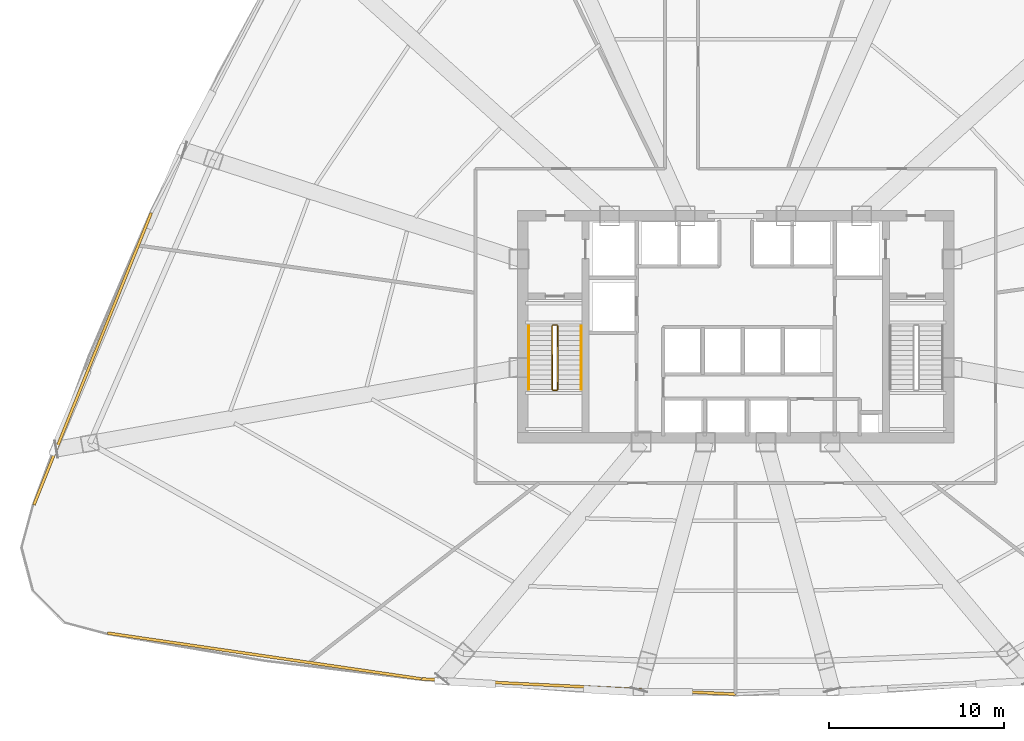
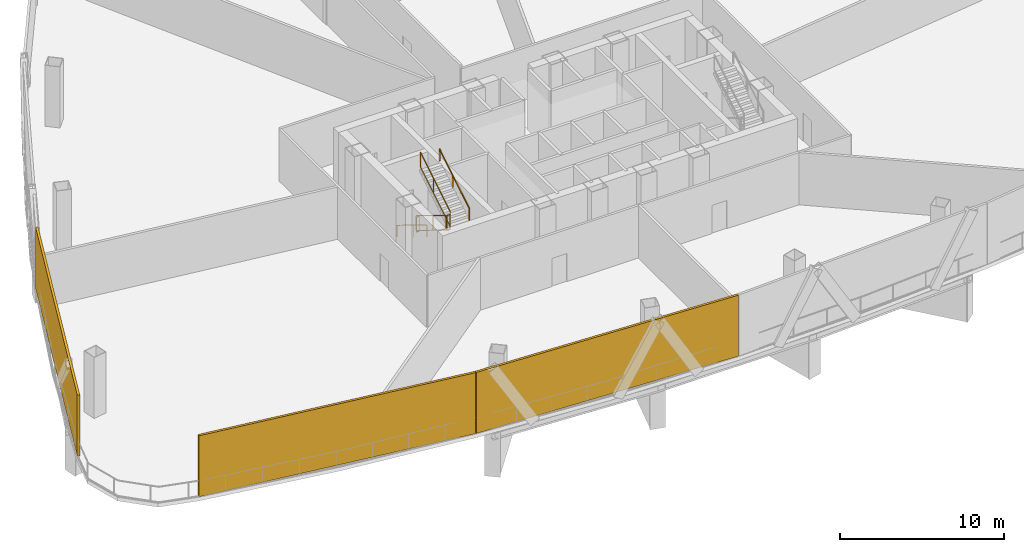
# One storey, part 10 of 15: 6 railings, 3 shading devices.
"""IFC4 building model written with IfcOpenShell, lengths in metres."""

from ifc_helpers import new_model, si_unit, direction, frame, origin, origin_2d, place, context, subcontext, project, spatial, rectangle, extrude, source, transform, mapped, material, layer, layer_set, type_object, element, save


model = new_model("IFC4")

# Units and contexts
model_context = context("Model", 3, precision=1e-05, world=origin(), true_north=direction((0.0, 1.0)))
body_context = subcontext(model_context, "Body", "Model", "MODEL_VIEW")
ifc_project = project(units=[si_unit("LENGTHUNIT", "METRE"), si_unit("AREAUNIT", "SQUARE_METRE"), si_unit("VOLUMEUNIT", "CUBIC_METRE"), si_unit("PLANEANGLEUNIT", "RADIAN"), si_unit("MASSUNIT", "GRAM", prefix="KILO"), si_unit("THERMODYNAMICTEMPERATUREUNIT", "KELVIN"), si_unit("POWERUNIT", "WATT")], contexts=[model_context])

# Site, building, storey
site_placement = place(None, origin())
site = spatial("IfcSite", under=ifc_project, at=site_placement, CompositionType="ELEMENT")
building_placement = place(site_placement, origin())
building = spatial("IfcBuilding", under=site, at=building_placement, Name="Yunzhuo Pagoda Commons", CompositionType="ELEMENT")
storey_placement = place(building_placement, frame((0.0, 0.0, 125.030029296875)))
storey = spatial("IfcBuildingStorey", under=building, at=storey_placement, Name="L31", CompositionType="ELEMENT", Elevation=125.030029296875)

# Railings
ifc_material = material(Name="Anodized aluminium 6063-T6", Category="aluminium")
railing_type_1 = type_object("IfcRailingType", Name="GR-ST1 Stair Well Guardrail 1150", PredefinedType="GUARDRAIL", material=ifc_material)
railing_1_placement = place(storey_placement, frame((37.5, 33.89990234375, 0.17138671875)))
element("IfcRailing", 1, at=railing_1_placement, inside=storey, type_object=railing_type_1, Name="L31 ST1 stair guard 1", PredefinedType="GUARDRAIL", context=body_context, shape_type="SweptSolid", body=[
    extrude(rectangle(XDim=0.048095703125, YDim=0.048095703125, at=origin_2d()), frame((0.0, 0.0, 1.1259765625), z_axis=(0.0, -0.852850264322, 0.5221555579), x_axis=(1.0, 0.0, 0.0)), (0.0, 0.0, 1.0), 4.267822265625),
    extrude(rectangle(XDim=0.048095703125, YDim=0.048095703125, at=origin_2d()), frame((0.0, 0.0, 0.02392578125), z_axis=(0.0, -0.852850264322, 0.5221555579), x_axis=(1.0, 0.0, 0.0)), (0.0, 0.0, 1.0), 4.267822265625),
    extrude(rectangle(XDim=0.0419921875, YDim=0.0419921875, at=origin_2d()), origin(), (0.0, 0.0, 1.0), 1.101806640625),
    extrude(rectangle(XDim=0.0419921875, YDim=0.0419921875, at=origin_2d()), frame((0.0, -2.046875, 1.253173828125)), (0.0, 0.0, 1.0), 1.101806640625),
    extrude(rectangle(XDim=0.0419921875, YDim=0.0419921875, at=origin_2d()), frame((0.0, -3.639892578125, 2.228515625)), (0.0, 0.0, 1.0), 1.101806640625),
])
railing_2_placement = place(storey_placement, frame((37.550048828125, 30.2099609375, 2.39990234375)))
element("IfcRailing", 2, at=railing_2_placement, inside=storey, type_object=railing_type_1, Name="L31 ST1 stair guard 2", PredefinedType="GUARDRAIL", context=body_context, shape_type="SweptSolid", body=[
    extrude(rectangle(XDim=0.048095703125, YDim=0.048095703125, at=origin_2d()), frame((0.0, 0.0, 1.1259765625), z_axis=(1.0, 0.0, 0.0), x_axis=(0.0, 1.0, 0.0)), (0.0, 0.0, 1.0), 0.199951171875),
    extrude(rectangle(XDim=0.048095703125, YDim=0.048095703125, at=origin_2d()), frame((0.0, 0.0, 0.02392578125), z_axis=(1.0, 0.0, 0.0), x_axis=(0.0, 1.0, 0.0)), (0.0, 0.0, 1.0), 0.199951171875),
    extrude(rectangle(XDim=0.0419921875, YDim=0.0419921875, at=origin_2d()), origin(), (0.0, 0.0, 1.0), 1.101806640625),
    extrude(rectangle(XDim=0.0419921875, YDim=0.0419921875, at=origin_2d()), frame((0.199951171875, 0.0, 0.0)), (0.0, 0.0, 1.0), 1.101806640625),
])
railing_3_placement = place(storey_placement, frame((37.800048828125, 30.260009765625, 2.5712890625)))
element("IfcRailing", 3, at=railing_3_placement, inside=storey, type_object=railing_type_1, Name="L31 ST1 stair guard 3", PredefinedType="GUARDRAIL", context=body_context, shape_type="SweptSolid", body=[
    extrude(rectangle(XDim=0.048095703125, YDim=0.048095703125, at=origin_2d()), frame((0.0, 0.0, 1.1259765625), z_axis=(0.0, 0.852824790078, 0.522197163366), x_axis=(-1.0, 0.0, 0.0)), (0.0, 0.0, 1.0), 4.26806640625),
    extrude(rectangle(XDim=0.048095703125, YDim=0.048095703125, at=origin_2d()), frame((0.0, 0.0, 0.02392578125), z_axis=(0.0, 0.852824790078, 0.522197163366), x_axis=(-1.0, 0.0, 0.0)), (0.0, 0.0, 1.0), 4.26806640625),
    extrude(rectangle(XDim=0.0419921875, YDim=0.0419921875, at=origin_2d()), origin(), (0.0, 0.0, 1.0), 1.101806640625),
    extrude(rectangle(XDim=0.0419921875, YDim=0.0419921875, at=origin_2d()), frame((0.0, 2.046875, 1.253173828125)), (0.0, 0.0, 1.0), 1.101806640625),
    extrude(rectangle(XDim=0.0419921875, YDim=0.0419921875, at=origin_2d()), frame((0.0, 3.639892578125, 2.228759765625)), (0.0, 0.0, 1.0), 1.101806640625),
])
railing_4_placement = place(storey_placement, frame((37.550048828125, 33.949951171875, 0.0)))
element("IfcRailing", 4, at=railing_4_placement, inside=storey, type_object=railing_type_1, Name="L31 ST1 stair guard 4", PredefinedType="GUARDRAIL", context=body_context, shape_type="SweptSolid", body=[
    extrude(rectangle(XDim=0.048095703125, YDim=0.048095703125, at=origin_2d()), frame((0.0, 0.0, 1.1259765625), z_axis=(1.0, 0.0, 0.0), x_axis=(0.0, 1.0, 0.0)), (0.0, 0.0, 1.0), 0.199951171875),
    extrude(rectangle(XDim=0.048095703125, YDim=0.048095703125, at=origin_2d()), frame((0.0, 0.0, 0.02392578125), z_axis=(1.0, 0.0, 0.0), x_axis=(0.0, 1.0, 0.0)), (0.0, 0.0, 1.0), 0.199951171875),
    extrude(rectangle(XDim=0.0419921875, YDim=0.0419921875, at=origin_2d()), origin(), (0.0, 0.0, 1.0), 1.101806640625),
    extrude(rectangle(XDim=0.0419921875, YDim=0.0419921875, at=origin_2d()), frame((0.199951171875, 0.0, 0.0)), (0.0, 0.0, 1.0), 1.101806640625),
])
railing_type_2 = type_object("IfcRailingType", Name="HR-ST1 Stair Handrail 900", PredefinedType="HANDRAIL", material=ifc_material)
railing_5_placement = place(storey_placement, frame((36.14990234375, 33.89990234375, 0.17138671875)))
element("IfcRailing", 5, at=railing_5_placement, inside=storey, type_object=railing_type_2, Name="L31 ST1 stair handrail 1", PredefinedType="HANDRAIL", context=body_context, shape_type="SweptSolid", body=[
    extrude(rectangle(XDim=0.048095703125, YDim=0.048095703125, at=origin_2d()), frame((0.0, 0.0, 0.8759765625), z_axis=(0.0, -0.852850264322, 0.5221555579), x_axis=(1.0, 0.0, 0.0)), (0.0, 0.0, 1.0), 4.267822265625),
    extrude(rectangle(XDim=0.0419921875, YDim=0.0419921875, at=origin_2d()), origin(), (0.0, 0.0, 1.0), 0.851806640625),
    extrude(rectangle(XDim=0.0419921875, YDim=0.0419921875, at=origin_2d()), frame((0.0, -2.046875, 1.253173828125)), (0.0, 0.0, 1.0), 0.851806640625),
    extrude(rectangle(XDim=0.0419921875, YDim=0.0419921875, at=origin_2d()), frame((0.0, -3.639892578125, 2.228515625)), (0.0, 0.0, 1.0), 0.851806640625),
])
railing_6_placement = place(storey_placement, frame((39.14990234375, 30.260009765625, 2.5712890625)))
element("IfcRailing", 6, at=railing_6_placement, inside=storey, type_object=railing_type_2, Name="L31 ST1 stair handrail 2", PredefinedType="HANDRAIL", context=body_context, shape_type="SweptSolid", body=[
    extrude(rectangle(XDim=0.048095703125, YDim=0.048095703125, at=origin_2d()), frame((0.0, 0.0, 0.8759765625), z_axis=(0.0, 0.852824790078, 0.522197163366), x_axis=(-1.0, 0.0, 0.0)), (0.0, 0.0, 1.0), 4.26806640625),
    extrude(rectangle(XDim=0.0419921875, YDim=0.0419921875, at=origin_2d()), origin(), (0.0, 0.0, 1.0), 0.851806640625),
    extrude(rectangle(XDim=0.0419921875, YDim=0.0419921875, at=origin_2d()), frame((0.0, 2.046875, 1.253173828125)), (0.0, 0.0, 1.0), 0.851806640625),
    extrude(rectangle(XDim=0.0419921875, YDim=0.0419921875, at=origin_2d()), frame((0.0, 3.639892578125, 2.228759765625)), (0.0, 0.0, 1.0), 0.851806640625),
])

# Shading devices
ifc_layer = layer(ifc_material, 0.159912109375)
ifc_layer_set = layer_set([ifc_layer], Name="Anodized aluminium 6063-T6")
shading_device_type = type_object("IfcShadingDeviceType", Name="SH-SCR1 Stormproof Refuge Louvre Screen", PredefinedType="JALOUSIE", material=ifc_layer_set)
shared_shape_1 = source(origin(), body_context, "Body", "SweptSolid", [
    extrude(rectangle(XDim=18.156982421875, YDim=0.159912109375, at=origin_2d()), origin(), (0.0, 0.0, 1.0), 4.5400390625),
])
shading_device_1_placement = place(storey_placement, frame((21.00830078125, 14.993896484375, 0.0), z_axis=(0.0, 0.0, 1.0), x_axis=(0.989510666697, -0.144459823108, 0.0)))
element("IfcShadingDevice", 7, at=shading_device_1_placement, inside=storey, type_object=shading_device_type, Name="L31 stormproof refuge louvre screen F1.1", PredefinedType="JALOUSIE", context=body_context, shape_type="MappedRepresentation", body=[
    mapped(shared_shape_1, transform((0.0, 0.0, 0.0), scale=1.0)),
])
shared_shape_2 = source(origin(), body_context, "Body", "SweptSolid", [
    extrude(rectangle(XDim=17.9873046875, YDim=0.159912109375, at=origin_2d()), origin(), (0.0, 0.0, 1.0), 4.5400390625),
])
shading_device_2_placement = place(storey_placement, frame((39.002685546875, 13.242919921875, 0.0), z_axis=(0.0, 0.0, 1.0), x_axis=(0.998818043775, -0.04860571396, 0.0)))
element("IfcShadingDevice", 8, at=shading_device_2_placement, inside=storey, type_object=shading_device_type, Name="L31 stormproof refuge louvre screen F1.2", PredefinedType="JALOUSIE", context=body_context, shape_type="MappedRepresentation", body=[
    mapped(shared_shape_2, transform((0.0, 0.0, 0.0), scale=1.0)),
])
shared_shape_3 = source(origin(), body_context, "Body", "SweptSolid", [
    extrude(rectangle(XDim=18.010986328125, YDim=0.159912109375, at=origin_2d()), origin(), (0.0, 0.0, 1.0), 4.5400390625),
])
shading_device_3_placement = place(storey_placement, frame((11.164306640625, 32.010498046875, 0.0), z_axis=(0.0, 0.0, 1.0), x_axis=(-0.372987782576, -0.927836253899, 0.0)))
element("IfcShadingDevice", 9, at=shading_device_3_placement, inside=storey, type_object=shading_device_type, Name="L31 stormproof refuge louvre screen F3.4", PredefinedType="JALOUSIE", context=body_context, shape_type="MappedRepresentation", body=[
    mapped(shared_shape_3, transform((0.0, 0.0, 0.0), scale=1.0)),
])

save(model, "model.ifc")
